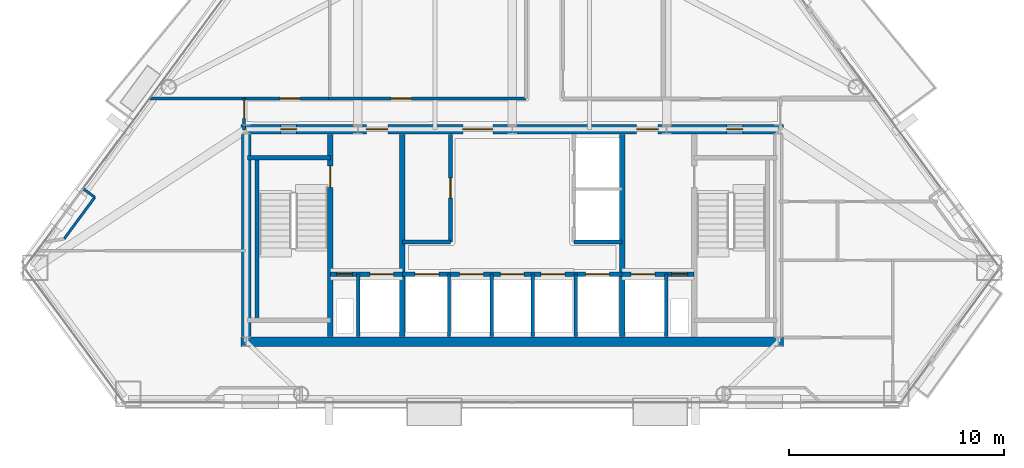
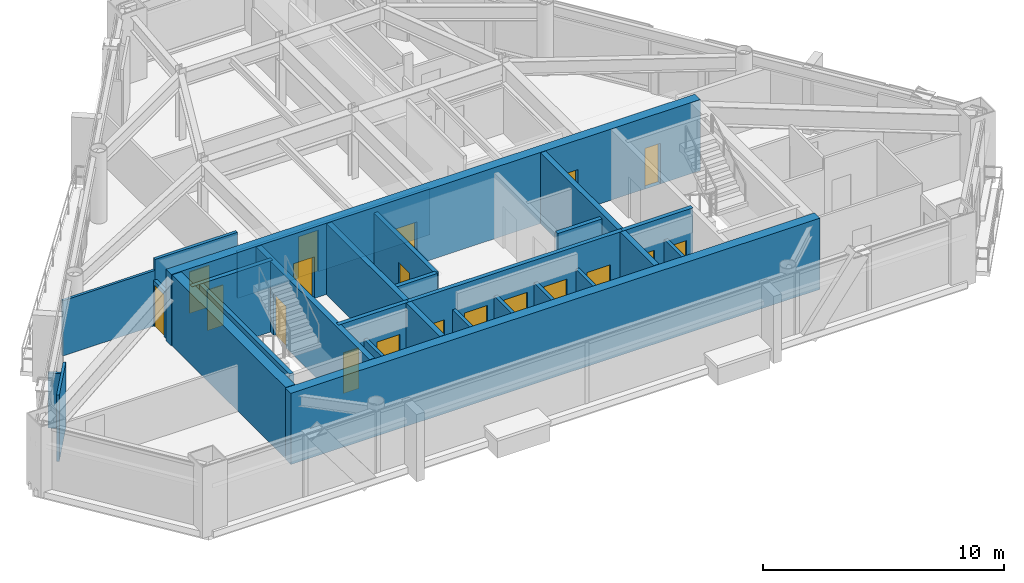
# One storey, part 7 of 11: 26 walls, 19 doors, 19 openings.
"""IFC4 building model written with IfcOpenShell, lengths in metres."""

from ifc_helpers import new_model, si_unit, direction, frame, frame_2d, origin, place, context, subcontext, project, spatial, rectangle, extrude, material, layer, layer_set, type_object, element, fill, save


model = new_model("IFC4")

# Units and contexts
model_context = context("Model", 3, precision=1e-05, world=origin(), true_north=direction((0.0, 1.0)))
body_context = subcontext(model_context, "Body", "Model", "MODEL_VIEW")
ifc_project = project(units=[si_unit("LENGTHUNIT", "METRE"), si_unit("AREAUNIT", "SQUARE_METRE"), si_unit("VOLUMEUNIT", "CUBIC_METRE"), si_unit("PLANEANGLEUNIT", "RADIAN"), si_unit("MASSUNIT", "GRAM", prefix="KILO")], contexts=[model_context])

# Site, building, storey
site_placement = place(None, origin())
site = spatial("IfcSite", under=ifc_project, at=site_placement, CompositionType="ELEMENT")
building_placement = place(site_placement, origin())
building = spatial("IfcBuilding", under=site, at=building_placement, Name="Talgorran Terracotta Tower", CompositionType="ELEMENT")
storey_placement = place(building_placement, frame((0.0, 0.0, 161.699951171875)))
storey = spatial("IfcBuildingStorey", under=building, at=storey_placement, Name="L42", CompositionType="ELEMENT", Elevation=161.699951171875)

# Walls
ifc_material_1 = material(Name="Concrete C50/60", Category="concrete")
ifc_layer_1 = layer(ifc_material_1, 0.199951171875, Name="WT_CORE_200")
ifc_layer_set_1 = layer_set([ifc_layer_1], Name="Concrete C50/60")
wall_type_1 = type_object("IfcWallType", Name="WT_CORE_200", PredefinedType="SOLIDWALL", material=ifc_layer_set_1)
wall_1_placement = place(storey_placement, frame((-12.35009765625, -5.52001953125, 0.0), z_axis=(0.0, 0.0, 1.0), x_axis=(1.0, 0.0, 0.0)))
element("IfcWall", 1, at=wall_1_placement, inside=storey, type_object=wall_type_1, Name="WL-L42-CW-ST1-N", PredefinedType="SOLIDWALL", context=body_context, shape_type="SweptSolid", body=[
    extrude(rectangle(XDim=3.8701171875, YDim=0.199951171875, at=frame_2d((1.93505859375, 0.0))), origin(), (0.0, 0.0, 1.0), 3.60009765625),
])
wall_2_placement = place(storey_placement, frame((-11.89990234375, -13.10009765625, 0.0), z_axis=(0.0, 0.0, 1.0), x_axis=(0.0, 1.0, 0.0)))
element("IfcWall", 2, at=wall_2_placement, inside=storey, type_object=wall_type_1, Name="WL-L42-CW-ST1-W", PredefinedType="SOLIDWALL", context=body_context, shape_type="SweptSolid", body=[
    extrude(rectangle(XDim=7.580078125, YDim=0.199951171875, at=frame_2d((3.7900390625, 0.0))), origin(), (0.0, 0.0, 1.0), 3.60009765625),
])

# Wall, openings, doors
wall_3_placement = place(storey_placement, frame((-8.47998046875, -10.949951171875, 0.0), z_axis=(0.0, 0.0, 1.0), x_axis=(1.0, 0.0, 0.0)))
wall_3 = element("IfcWall", 3, at=wall_3_placement, inside=storey, type_object=wall_type_1, Name="WL-L42-CW-H-SBW", PredefinedType="SOLIDWALL", context=body_context, shape_type="SweptSolid", body=[
    extrude(rectangle(XDim=3.35986328125, YDim=0.199951171875, at=frame_2d((1.679931640625, 0.0))), origin(), (0.0, 0.0, 1.0), 3.60009765625),
])
opening_1_placement = place(wall_3_placement, frame((0.280029296875, 0.0, 0.0)))
opening_1 = element("IfcOpeningElement", 4, at=opening_1_placement, cuts=wall_3, Name="Opening DR-RSW", PredefinedType="OPENING", context=body_context, shape_type="SweptSolid", body=[
    extrude(rectangle(XDim=0.756, YDim=2.054048828125, at=frame_2d((0.375, 1.027099609375))), frame((0.0, 0.10986328125, 0.0), z_axis=(0.0, -1.0, 0.0), x_axis=(1.0, 0.0, 0.0)), (0.0, 0.0, 1.0), 0.219970703125),
])
opening_2_placement = place(wall_3_placement, frame((1.85009765625, 0.0, 0.0)))
opening_2 = element("IfcOpeningElement", 5, at=opening_2_placement, cuts=wall_3, Name="Opening LD-FFL1", PredefinedType="OPENING", context=body_context, shape_type="SweptSolid", body=[
    extrude(rectangle(XDim=1.10609765625, YDim=2.10409765625, at=frame_2d((0.550048828125, 1.052001953125))), frame((0.0, 0.10986328125, 0.0), z_axis=(0.0, -1.0, 0.0), x_axis=(1.0, 0.0, 0.0)), (0.0, 0.0, 1.0), 0.219970703125),
])
ifc_material_2 = material(Name="Brushed Stainless Steel Grade 304", Category="steel")
door_type_1 = type_object("IfcDoorType", Name="DT_LIFT_LD1100", OperationType="DOUBLE_DOOR_SLIDING", PredefinedType="DOOR", material=ifc_material_2)
door_1_placement = place(opening_2_placement, origin())
door_1 = element("IfcDoor", 6, at=door_1_placement, inside=storey, type_object=door_type_1, Name="L42 Lift Landing Door LD-FFL1", OperationType="DOUBLE_DOOR_SLIDING", OverallHeight=2.10009765625, OverallWidth=1.10009765625, PredefinedType="DOOR", context=body_context, shape_type="SweptSolid", body=[
    extrude(rectangle(XDim=1.10009765625, YDim=2.10009765625, at=frame_2d((0.550048828125, 1.050048828125))), frame((0.0, 0.02490234375, 0.0), z_axis=(0.0, -1.0, 0.0), x_axis=(1.0, 0.0, 0.0)), (0.0, 0.0, 1.0), 0.050048828125),
])
fill(opening_2, door_1)
ifc_material_3 = material(Name="Fire-Rated Pressed Steel", Category="steel")
door_type_2 = type_object("IfcDoorType", Name="DT_RISER_750", OperationType="NOTDEFINED", PredefinedType="DOOR", material=ifc_material_3)
door_2_placement = place(opening_1_placement, origin())
door_2 = element("IfcDoor", 7, at=door_2_placement, inside=storey, type_object=door_type_2, Name="DR-RSW", OperationType="SINGLE_SWING_LEFT", OverallHeight=2.050048828125, OverallWidth=0.75, PredefinedType="DOOR", context=body_context, shape_type="SweptSolid", body=[
    extrude(rectangle(XDim=0.75, YDim=2.050048828125, at=frame_2d((0.375, 1.02490234375))), frame((0.0, 0.02490234375, 0.0), z_axis=(0.0, -1.0, 0.0), x_axis=(1.0, 0.0, 0.0)), (0.0, 0.0, 1.0), 0.050048828125),
])
fill(opening_1, door_2)

wall_4_placement = place(storey_placement, frame((-5.1201171875, -10.949951171875, 0.0), z_axis=(0.0, 0.0, 1.0), x_axis=(1.0, 0.0, 0.0)))
wall_4 = element("IfcWall", 8, at=wall_4_placement, inside=storey, type_object=wall_type_1, Name="WL-L42-CW-H-SBC", PredefinedType="SOLIDWALL", context=body_context, shape_type="SweptSolid", body=[
    extrude(rectangle(XDim=10.240234375, YDim=0.199951171875, at=frame_2d((5.1201171875, 0.0))), origin(), (0.0, 0.0, 1.0), 3.60009765625),
])
opening_3_placement = place(wall_4_placement, frame((0.60009765625, 0.0, 0.0)))
opening_3 = element("IfcOpeningElement", 9, at=opening_3_placement, cuts=wall_4, Name="Opening LD-OB1", PredefinedType="OPENING", context=body_context, shape_type="SweptSolid", body=[
    extrude(rectangle(XDim=1.10609765625, YDim=2.10409765625, at=frame_2d((0.550048828125, 1.052001953125))), frame((0.0, 0.10986328125, 0.0), z_axis=(0.0, -1.0, 0.0), x_axis=(1.0, 0.0, 0.0)), (0.0, 0.0, 1.0), 0.219970703125),
])
opening_4_placement = place(wall_4_placement, frame((2.669921875, 0.0, 0.0)))
opening_4 = element("IfcOpeningElement", 10, at=opening_4_placement, cuts=wall_4, Name="Opening LD-PLH1", PredefinedType="OPENING", context=body_context, shape_type="SweptSolid", body=[
    extrude(rectangle(XDim=1.10609765625, YDim=2.10409765625, at=frame_2d((0.550048828125, 1.052001953125))), frame((0.0, 0.10986328125, 0.0), z_axis=(0.0, -1.0, 0.0), x_axis=(1.0, 0.0, 0.0)), (0.0, 0.0, 1.0), 0.219970703125),
])
opening_5_placement = place(wall_4_placement, frame((4.570068359375, 0.0, 0.0)))
opening_5 = element("IfcOpeningElement", 11, at=opening_5_placement, cuts=wall_4, Name="Opening LD-PLH2", PredefinedType="OPENING", context=body_context, shape_type="SweptSolid", body=[
    extrude(rectangle(XDim=1.10609765625, YDim=2.10409765625, at=frame_2d((0.550048828125, 1.052001953125))), frame((0.0, 0.10986328125, 0.0), z_axis=(0.0, -1.0, 0.0), x_axis=(1.0, 0.0, 0.0)), (0.0, 0.0, 1.0), 0.219970703125),
])
opening_6_placement = place(wall_4_placement, frame((6.469970703125, 0.0, 0.0)))
opening_6 = element("IfcOpeningElement", 12, at=opening_6_placement, cuts=wall_4, Name="Opening LD-PLH3", PredefinedType="OPENING", context=body_context, shape_type="SweptSolid", body=[
    extrude(rectangle(XDim=1.10609765625, YDim=2.10409765625, at=frame_2d((0.550048828125, 1.052001953125))), frame((0.0, 0.10986328125, 0.0), z_axis=(0.0, -1.0, 0.0), x_axis=(1.0, 0.0, 0.0)), (0.0, 0.0, 1.0), 0.219970703125),
])
opening_7_placement = place(wall_4_placement, frame((8.5400390625, 0.0, 0.0)))
opening_7 = element("IfcOpeningElement", 13, at=opening_7_placement, cuts=wall_4, Name="Opening LD-SVL1", PredefinedType="OPENING", context=body_context, shape_type="SweptSolid", body=[
    extrude(rectangle(XDim=1.10609765625, YDim=2.10409765625, at=frame_2d((0.550048828125, 1.052001953125))), frame((0.0, 0.10986328125, 0.0), z_axis=(0.0, -1.0, 0.0), x_axis=(1.0, 0.0, 0.0)), (0.0, 0.0, 1.0), 0.219970703125),
])
door_3_placement = place(opening_3_placement, origin())
door_3 = element("IfcDoor", 14, at=door_3_placement, inside=storey, type_object=door_type_1, Name="L42 Lift Landing Door LD-OB1", OperationType="DOUBLE_DOOR_SLIDING", OverallHeight=2.10009765625, OverallWidth=1.10009765625, PredefinedType="DOOR", context=body_context, shape_type="SweptSolid", body=[
    extrude(rectangle(XDim=1.10009765625, YDim=2.10009765625, at=frame_2d((0.550048828125, 1.050048828125))), frame((0.0, 0.02490234375, 0.0), z_axis=(0.0, -1.0, 0.0), x_axis=(1.0, 0.0, 0.0)), (0.0, 0.0, 1.0), 0.050048828125),
])
fill(opening_3, door_3)
door_4_placement = place(opening_4_placement, origin())
door_4 = element("IfcDoor", 15, at=door_4_placement, inside=storey, type_object=door_type_1, Name="L42 Lift Landing Door LD-PLH1", OperationType="DOUBLE_DOOR_SLIDING", OverallHeight=2.10009765625, OverallWidth=1.10009765625, PredefinedType="DOOR", context=body_context, shape_type="SweptSolid", body=[
    extrude(rectangle(XDim=1.10009765625, YDim=2.10009765625, at=frame_2d((0.550048828125, 1.050048828125))), frame((0.0, 0.02490234375, 0.0), z_axis=(0.0, -1.0, 0.0), x_axis=(1.0, 0.0, 0.0)), (0.0, 0.0, 1.0), 0.050048828125),
])
fill(opening_4, door_4)
door_5_placement = place(opening_5_placement, origin())
door_5 = element("IfcDoor", 16, at=door_5_placement, inside=storey, type_object=door_type_1, Name="L42 Lift Landing Door LD-PLH2", OperationType="DOUBLE_DOOR_SLIDING", OverallHeight=2.10009765625, OverallWidth=1.10009765625, PredefinedType="DOOR", context=body_context, shape_type="SweptSolid", body=[
    extrude(rectangle(XDim=1.10009765625, YDim=2.10009765625, at=frame_2d((0.550048828125, 1.050048828125))), frame((0.0, 0.02490234375, 0.0), z_axis=(0.0, -1.0, 0.0), x_axis=(1.0, 0.0, 0.0)), (0.0, 0.0, 1.0), 0.050048828125),
])
fill(opening_5, door_5)
door_6_placement = place(opening_6_placement, origin())
door_6 = element("IfcDoor", 17, at=door_6_placement, inside=storey, type_object=door_type_1, Name="L42 Lift Landing Door LD-PLH3", OperationType="DOUBLE_DOOR_SLIDING", OverallHeight=2.10009765625, OverallWidth=1.10009765625, PredefinedType="DOOR", context=body_context, shape_type="SweptSolid", body=[
    extrude(rectangle(XDim=1.10009765625, YDim=2.10009765625, at=frame_2d((0.550048828125, 1.050048828125))), frame((0.0, 0.02490234375, 0.0), z_axis=(0.0, -1.0, 0.0), x_axis=(1.0, 0.0, 0.0)), (0.0, 0.0, 1.0), 0.050048828125),
])
fill(opening_6, door_6)
door_7_placement = place(opening_7_placement, origin())
door_7 = element("IfcDoor", 18, at=door_7_placement, inside=storey, type_object=door_type_1, Name="L42 Lift Landing Door LD-SVL1", OperationType="DOUBLE_DOOR_SLIDING", OverallHeight=2.10009765625, OverallWidth=1.10009765625, PredefinedType="DOOR", context=body_context, shape_type="SweptSolid", body=[
    extrude(rectangle(XDim=1.10009765625, YDim=2.10009765625, at=frame_2d((0.550048828125, 1.050048828125))), frame((0.0, 0.02490234375, 0.0), z_axis=(0.0, -1.0, 0.0), x_axis=(1.0, 0.0, 0.0)), (0.0, 0.0, 1.0), 0.050048828125),
])
fill(opening_7, door_7)

wall_5_placement = place(storey_placement, frame((5.1201171875, -10.949951171875, 0.0), z_axis=(0.0, 0.0, 1.0), x_axis=(1.0, 0.0, 0.0)))
wall_5 = element("IfcWall", 19, at=wall_5_placement, inside=storey, type_object=wall_type_1, Name="WL-L42-CW-H-SBE", PredefinedType="SOLIDWALL", context=body_context, shape_type="SweptSolid", body=[
    extrude(rectangle(XDim=3.35986328125, YDim=0.199951171875, at=frame_2d((1.679931640625, 0.0))), origin(), (0.0, 0.0, 1.0), 3.60009765625),
])
opening_8_placement = place(wall_5_placement, frame((0.419921875, 0.0, 0.0)))
opening_8 = element("IfcOpeningElement", 20, at=opening_8_placement, cuts=wall_5, Name="Opening LD-FFL2", PredefinedType="OPENING", context=body_context, shape_type="SweptSolid", body=[
    extrude(rectangle(XDim=1.10609765625, YDim=2.10409765625, at=frame_2d((0.550048828125, 1.052001953125))), frame((0.0, 0.10986328125, 0.0), z_axis=(0.0, -1.0, 0.0), x_axis=(1.0, 0.0, 0.0)), (0.0, 0.0, 1.0), 0.219970703125),
])
opening_9_placement = place(wall_5_placement, frame((2.300048828125, 0.0, 0.0)))
opening_9 = element("IfcOpeningElement", 21, at=opening_9_placement, cuts=wall_5, Name="Opening DR-RSE", PredefinedType="OPENING", context=body_context, shape_type="SweptSolid", body=[
    extrude(rectangle(XDim=0.756, YDim=2.054048828125, at=frame_2d((0.375, 1.027099609375))), frame((0.0, 0.10986328125, 0.0), z_axis=(0.0, -1.0, 0.0), x_axis=(1.0, 0.0, 0.0)), (0.0, 0.0, 1.0), 0.219970703125),
])
door_8_placement = place(opening_8_placement, origin())
door_8 = element("IfcDoor", 22, at=door_8_placement, inside=storey, type_object=door_type_1, Name="L42 Lift Landing Door LD-FFL2", OperationType="DOUBLE_DOOR_SLIDING", OverallHeight=2.10009765625, OverallWidth=1.10009765625, PredefinedType="DOOR", context=body_context, shape_type="SweptSolid", body=[
    extrude(rectangle(XDim=1.10009765625, YDim=2.10009765625, at=frame_2d((0.550048828125, 1.050048828125))), frame((0.0, 0.02490234375, 0.0), z_axis=(0.0, -1.0, 0.0), x_axis=(1.0, 0.0, 0.0)), (0.0, 0.0, 1.0), 0.050048828125),
])
fill(opening_8, door_8)
door_9_placement = place(opening_9_placement, origin())
door_9 = element("IfcDoor", 23, at=door_9_placement, inside=storey, type_object=door_type_2, Name="DR-RSE", OperationType="SINGLE_SWING_RIGHT", OverallHeight=2.050048828125, OverallWidth=0.75, PredefinedType="DOOR", context=body_context, shape_type="SweptSolid", body=[
    extrude(rectangle(XDim=0.75, YDim=2.050048828125, at=frame_2d((0.375, 1.02490234375))), frame((0.0, 0.02490234375, 0.0), z_axis=(0.0, -1.0, 0.0), x_axis=(1.0, 0.0, 0.0)), (0.0, 0.0, 1.0), 0.050048828125),
])
fill(opening_9, door_9)

# Wall, opening, door
wall_6_placement = place(storey_placement, frame((-2.8798828125, -9.449951171875, 0.0), z_axis=(0.0, 0.0, 1.0), x_axis=(0.0, 1.0, 0.0)))
wall_6 = element("IfcWall", 24, at=wall_6_placement, inside=storey, type_object=wall_type_1, Name="WL-L42-CW-V-W3", PredefinedType="SOLIDWALL", context=body_context, shape_type="SweptSolid", body=[
    extrude(rectangle(XDim=5.0, YDim=0.199951171875, at=frame_2d((2.5, 0.0))), origin(), (0.0, 0.0, 1.0), 3.35009765625),
])
opening_10_placement = place(wall_6_placement, frame((2.050048828125, 0.0, 0.0)))
opening_10 = element("IfcOpeningElement", 25, at=opening_10_placement, cuts=wall_6, Name="Opening DR-FRPLL-A", PredefinedType="OPENING", context=body_context, shape_type="SweptSolid", body=[
    extrude(rectangle(XDim=0.925921875, YDim=2.10409765625, at=frame_2d((0.4599609375, 1.052001953125))), frame((0.0, 0.10986328125, 0.0), z_axis=(0.0, -1.0, 0.0), x_axis=(1.0, 0.0, 0.0)), (0.0, 0.0, 1.0), 0.219970703125),
])
ifc_material_4 = material(Name="Solid-Core Painted Timber", Category="wood")
door_type_3 = type_object("IfcDoorType", Name="DT_INT_920", OperationType="NOTDEFINED", PredefinedType="DOOR", material=ifc_material_4)
door_10_placement = place(opening_10_placement, origin())
door_10 = element("IfcDoor", 26, at=door_10_placement, inside=storey, type_object=door_type_3, Name="DR-FRPLL-A", OperationType="SINGLE_SWING_LEFT", OverallHeight=2.10009765625, OverallWidth=0.919921875, PredefinedType="DOOR", context=body_context, shape_type="SweptSolid", body=[
    extrude(rectangle(XDim=0.919921875, YDim=2.10009765625, at=frame_2d((0.4599609375, 1.050048828125))), frame((0.0, 0.02490234375, 0.0), z_axis=(0.0, -1.0, 0.0), x_axis=(1.0, 0.0, 0.0)), (0.0, 0.0, 1.0), 0.050048828125),
])
fill(opening_10, door_10)

# Walls
for number, where, z_axis, x_axis, name in (
    (27, (-5.1201171875, -9.449951171875, 0.0), (0.0, 0.0, 1.0), (1.0, 0.0, 0.0), "WL-L42-CW-H-W4"),
    (28, (2.8798828125, -9.449951171875, 0.0), (0.0, 0.0, 1.0), (1.0, 0.0, 0.0), "WL-L42-CW-H-E4"),
):
    element("IfcWall", number, at=place(storey_placement, frame(where, z_axis=z_axis, x_axis=x_axis)), inside=storey, type_object=wall_type_1, Name=name, PredefinedType="SOLIDWALL", context=body_context, shape_type="SweptSolid", body=[
        extrude(rectangle(XDim=2.240234375, YDim=0.199951171875, at=frame_2d((1.1201171875, 0.0))), origin(), (0.0, 0.0, 1.0), 3.35009765625),
    ])

# Wall, opening, door
ifc_layer_2 = layer(ifc_material_1, 0.25, Name="WT_CORE_250")
ifc_layer_set_2 = layer_set([ifc_layer_2], Name="Concrete C50/60")
wall_type_2 = type_object("IfcWallType", Name="WT_CORE_250", PredefinedType="SHEAR", material=ifc_layer_set_2)
wall_7_placement = place(storey_placement, frame((-8.47998046875, -13.85009765625, 0.0), z_axis=(0.0, 0.0, 1.0), x_axis=(0.0, 1.0, 0.0)))
wall_7 = element("IfcWall", 29, at=wall_7_placement, inside=storey, type_object=wall_type_2, Name="WL-L42-CW-V-W1", PredefinedType="SHEAR", context=body_context, shape_type="SweptSolid", body=[
    extrude(rectangle(XDim=9.400146484375, YDim=0.25, at=frame_2d((4.7001953125, 0.0))), origin(), (0.0, 0.0, 1.0), 3.60009765625),
])
opening_11_placement = place(wall_7_placement, frame((6.949951171875, 0.0, 0.0)))
opening_11 = element("IfcOpeningElement", 30, at=opening_11_placement, cuts=wall_7, Name="Opening DR-ST01", PredefinedType="OPENING", context=body_context, shape_type="SweptSolid", body=[
    extrude(rectangle(XDim=1.006, YDim=2.10409765625, at=frame_2d((0.5, 1.052001953125))), frame((0.0, 0.135009765625, 0.0), z_axis=(0.0, -1.0, 0.0), x_axis=(1.0, 0.0, 0.0)), (0.0, 0.0, 1.0), 0.27001953125),
])
door_type_4 = type_object("IfcDoorType", Name="DT_FIRE_1000", OperationType="NOTDEFINED", PredefinedType="DOOR", material=ifc_material_3)
door_11_placement = place(opening_11_placement, origin())
door_11 = element("IfcDoor", 31, at=door_11_placement, inside=storey, type_object=door_type_4, Name="DR-ST01", OperationType="SINGLE_SWING_LEFT", OverallHeight=2.10009765625, OverallWidth=1.0, PredefinedType="DOOR", context=body_context, shape_type="SweptSolid", body=[
    extrude(rectangle(XDim=1.0, YDim=2.10009765625, at=frame_2d((0.5, 1.050048828125))), frame((0.0, 0.02490234375, 0.0), z_axis=(0.0, -1.0, 0.0), x_axis=(1.0, 0.0, 0.0)), (0.0, 0.0, 1.0), 0.050048828125),
])
fill(opening_11, door_11)

# Walls
for number, where, z_axis, x_axis, name in (
    (32, (-5.1201171875, -13.85009765625, 0.0), (0.0, 0.0, 1.0), (0.0, 1.0, 0.0), "WL-L42-CW-V-W2"),
    (33, (5.1201171875, -13.85009765625, 0.0), (0.0, 0.0, 1.0), (0.0, 1.0, 0.0), "WL-L42-CW-V-E2"),
):
    element("IfcWall", number, at=place(storey_placement, frame(where, z_axis=z_axis, x_axis=x_axis)), inside=storey, type_object=wall_type_2, Name=name, PredefinedType="SHEAR", context=body_context, shape_type="SweptSolid", body=[
        extrude(rectangle(XDim=9.400146484375, YDim=0.25, at=frame_2d((4.7001953125, 0.0))), origin(), (0.0, 0.0, 1.0), 3.60009765625),
    ])
ifc_material_5 = material(Name="Concrete C65/80", Category="concrete")
ifc_layer_3 = layer(ifc_material_5, 0.449951171875, Name="WT_CORE_EXT")
ifc_layer_set_3 = layer_set([ifc_layer_3], Name="Concrete C65/80")
wall_type_3 = type_object("IfcWallType", Name="WT_CORE_EXT", PredefinedType="SHEAR", material=ifc_layer_set_3)
wall_8_placement = place(storey_placement, frame((-12.64990234375, -14.10009765625, 0.0), z_axis=(0.0, 0.0, 1.0), x_axis=(1.0, 0.0, 0.0)))
element("IfcWall", 34, at=wall_8_placement, inside=storey, type_object=wall_type_3, Name="WL-L42-CW-OUT-S", PredefinedType="SHEAR", context=body_context, shape_type="SweptSolid", body=[
    extrude(rectangle(XDim=25.2998046875, YDim=0.449951171875, at=frame_2d((12.64990234375, 0.0))), origin(), (0.0, 0.0, 1.0), 3.60009765625),
])

# Wall, openings, doors
wall_9_placement = place(storey_placement, frame((-12.64990234375, -4.199951171875, 0.0), z_axis=(0.0, 0.0, 1.0), x_axis=(1.0, 0.0, 0.0)))
wall_9 = element("IfcWall", 35, at=wall_9_placement, inside=storey, type_object=wall_type_3, Name="WL-L42-CW-OUT-N", PredefinedType="SHEAR", context=body_context, shape_type="SweptSolid", body=[
    extrude(rectangle(XDim=25.2998046875, YDim=0.449951171875, at=frame_2d((12.64990234375, 0.0))), origin(), (0.0, 0.0, 1.0), 3.60009765625),
])
opening_12_placement = place(wall_9_placement, frame((1.85009765625, 0.0, 0.0)))
opening_12 = element("IfcOpeningElement", 36, at=opening_12_placement, cuts=wall_9, Name="Opening DR-CSN1", PredefinedType="OPENING", context=body_context, shape_type="SweptSolid", body=[
    extrude(rectangle(XDim=0.756, YDim=2.054048828125, at=frame_2d((0.375, 1.027099609375))), frame((0.0, 0.23486328125, 0.0), z_axis=(0.0, -1.0, 0.0), x_axis=(1.0, 0.0, 0.0)), (0.0, 0.0, 1.0), 0.469970703125),
])
opening_13_placement = place(wall_9_placement, frame((22.64990234375, 0.0, 0.0)))
opening_13 = element("IfcOpeningElement", 37, at=opening_13_placement, cuts=wall_9, Name="Opening DR-CSN2", PredefinedType="OPENING", context=body_context, shape_type="SweptSolid", body=[
    extrude(rectangle(XDim=0.756, YDim=2.054048828125, at=frame_2d((0.375, 1.027099609375))), frame((0.0, 0.23486328125, 0.0), z_axis=(0.0, -1.0, 0.0), x_axis=(1.0, 0.0, 0.0)), (0.0, 0.0, 1.0), 0.469970703125),
])
opening_14_placement = place(wall_9_placement, frame((5.85009765625, 0.0, 0.0)))
opening_14 = element("IfcOpeningElement", 38, at=opening_14_placement, cuts=wall_9, Name="Opening DR-FFLW-N", PredefinedType="OPENING", context=body_context, shape_type="SweptSolid", body=[
    extrude(rectangle(XDim=1.006, YDim=2.10409765625, at=frame_2d((0.5, 1.052001953125))), frame((0.0, 0.23486328125, 0.0), z_axis=(0.0, -1.0, 0.0), x_axis=(1.0, 0.0, 0.0)), (0.0, 0.0, 1.0), 0.469970703125),
])
opening_15_placement = place(wall_9_placement, frame((10.35009765625, 0.0, 0.0)))
opening_15 = element("IfcOpeningElement", 39, at=opening_15_placement, cuts=wall_9, Name="Opening DR-PLL-N", PredefinedType="OPENING", context=body_context, shape_type="SweptSolid", body=[
    extrude(rectangle(XDim=1.40590234375, YDim=2.15390234375, at=frame_2d((0.699951171875, 1.076904296875))), frame((0.0, 0.23486328125, 0.0), z_axis=(0.0, -1.0, 0.0), x_axis=(1.0, 0.0, 0.0)), (0.0, 0.0, 1.0), 0.469970703125),
])
opening_16_placement = place(wall_9_placement, frame((18.449951171875, 0.0, 0.0)))
opening_16 = element("IfcOpeningElement", 40, at=opening_16_placement, cuts=wall_9, Name="Opening DR-FFLE-N", PredefinedType="OPENING", context=body_context, shape_type="SweptSolid", body=[
    extrude(rectangle(XDim=1.006, YDim=2.10409765625, at=frame_2d((0.5, 1.052001953125))), frame((0.0, 0.23486328125, 0.0), z_axis=(0.0, -1.0, 0.0), x_axis=(1.0, 0.0, 0.0)), (0.0, 0.0, 1.0), 0.469970703125),
])
ifc_material_6 = material(Name="Acoustic Glazed Timber", Category="wood")
door_type_5 = type_object("IfcDoorType", Name="DT_DOUBLE_1400", OperationType="DOUBLE_DOOR_SINGLE_SWING", PredefinedType="DOOR", material=ifc_material_6)
door_12_placement = place(opening_15_placement, origin())
door_12 = element("IfcDoor", 41, at=door_12_placement, inside=storey, type_object=door_type_5, Name="DR-PLL-N", OperationType="DOUBLE_DOOR_SINGLE_SWING", OverallHeight=2.14990234375, OverallWidth=1.39990234375, PredefinedType="DOOR", context=body_context, shape_type="SweptSolid", body=[
    extrude(rectangle(XDim=1.39990234375, YDim=2.14990234375, at=frame_2d((0.699951171875, 1.074951171875))), frame((0.0, 0.02490234375, 0.0), z_axis=(0.0, -1.0, 0.0), x_axis=(1.0, 0.0, 0.0)), (0.0, 0.0, 1.0), 0.050048828125),
])
fill(opening_15, door_12)
door_13_placement = place(opening_14_placement, origin())
door_13 = element("IfcDoor", 42, at=door_13_placement, inside=storey, type_object=door_type_4, Name="DR-FFLW-N", OperationType="SINGLE_SWING_LEFT", OverallHeight=2.10009765625, OverallWidth=1.0, PredefinedType="DOOR", context=body_context, shape_type="SweptSolid", body=[
    extrude(rectangle(XDim=1.0, YDim=2.10009765625, at=frame_2d((0.5, 1.050048828125))), frame((0.0, 0.02490234375, 0.0), z_axis=(0.0, -1.0, 0.0), x_axis=(1.0, 0.0, 0.0)), (0.0, 0.0, 1.0), 0.050048828125),
])
fill(opening_14, door_13)
door_14_placement = place(opening_16_placement, origin())
door_14 = element("IfcDoor", 43, at=door_14_placement, inside=storey, type_object=door_type_4, Name="DR-FFLE-N", OperationType="SINGLE_SWING_RIGHT", OverallHeight=2.10009765625, OverallWidth=1.0, PredefinedType="DOOR", context=body_context, shape_type="SweptSolid", body=[
    extrude(rectangle(XDim=1.0, YDim=2.10009765625, at=frame_2d((0.5, 1.050048828125))), frame((0.0, 0.02490234375, 0.0), z_axis=(0.0, -1.0, 0.0), x_axis=(1.0, 0.0, 0.0)), (0.0, 0.0, 1.0), 0.050048828125),
])
fill(opening_16, door_14)
door_15_placement = place(opening_12_placement, origin())
door_15 = element("IfcDoor", 44, at=door_15_placement, inside=storey, type_object=door_type_2, Name="DR-CSN1", OperationType="SINGLE_SWING_LEFT", OverallHeight=2.050048828125, OverallWidth=0.75, PredefinedType="DOOR", context=body_context, shape_type="SweptSolid", body=[
    extrude(rectangle(XDim=0.75, YDim=2.050048828125, at=frame_2d((0.375, 1.02490234375))), frame((0.0, 0.02490234375, 0.0), z_axis=(0.0, -1.0, 0.0), x_axis=(1.0, 0.0, 0.0)), (0.0, 0.0, 1.0), 0.050048828125),
])
fill(opening_12, door_15)
door_16_placement = place(opening_13_placement, origin())
door_16 = element("IfcDoor", 45, at=door_16_placement, inside=storey, type_object=door_type_2, Name="DR-CSN2", OperationType="SINGLE_SWING_RIGHT", OverallHeight=2.050048828125, OverallWidth=0.75, PredefinedType="DOOR", context=body_context, shape_type="SweptSolid", body=[
    extrude(rectangle(XDim=0.75, YDim=2.050048828125, at=frame_2d((0.375, 1.02490234375))), frame((0.0, 0.02490234375, 0.0), z_axis=(0.0, -1.0, 0.0), x_axis=(1.0, 0.0, 0.0)), (0.0, 0.0, 1.0), 0.050048828125),
])
fill(opening_13, door_16)

# Wall
wall_10_placement = place(storey_placement, frame((-12.39990234375, -13.85009765625, 0.0), z_axis=(0.0, 0.0, 1.0), x_axis=(0.0, 1.0, 0.0)))
element("IfcWall", 46, at=wall_10_placement, inside=storey, type_object=wall_type_3, Name="WL-L42-CW-OUT-W", PredefinedType="SHEAR", context=body_context, shape_type="SweptSolid", body=[
    extrude(rectangle(XDim=9.400146484375, YDim=0.449951171875, at=frame_2d((4.7001953125, 0.0))), origin(), (0.0, 0.0, 1.0), 3.60009765625),
])

# Wall, opening, door
ifc_material_7 = material(Name="Fire-Rated Steel Stud Plasterboard", Category="steel")
ifc_layer_4 = layer(ifc_material_7, 0.14990234375, Name="WT_FIRE_150")
ifc_layer_set_4 = layer_set([ifc_layer_4], Name="Fire-Rated Steel Stud Plasterboard")
wall_type_4 = type_object("IfcWallType", Name="WT_FIRE_150", PredefinedType="PARTITIONING", material=ifc_layer_set_4)
wall_11_placement = place(storey_placement, frame((-8.56005859375, -2.760009765625, 0.0), z_axis=(0.0, 0.0, 1.0), x_axis=(1.0, 0.0, 0.0)))
wall_11 = element("IfcWall", 47, at=wall_11_placement, inside=storey, type_object=wall_type_4, Name="WL-L42-W-L42-R03", PredefinedType="PARTITIONING", context=body_context, shape_type="SweptSolid", body=[
    extrude(rectangle(XDim=9.199951171875, YDim=0.14990234375, at=frame_2d((4.60009765625, 0.0))), origin(), (0.0, 0.0, 1.0), 2.324951171875),
])
opening_17_placement = place(wall_11_placement, frame((2.90966796875, 0.0, 0.0)))
opening_17 = element("IfcOpeningElement", 48, at=opening_17_placement, cuts=wall_11, Name="Opening DR-L42-R07", PredefinedType="OPENING", context=body_context, shape_type="SweptSolid", body=[
    extrude(rectangle(XDim=0.955951171875, YDim=2.10409765625, at=frame_2d((0.47509765625, 1.052001953125))), frame((0.0, 0.0849609375, 0.0), z_axis=(0.0, -1.0, 0.0), x_axis=(1.0, 0.0, 0.0)), (0.0, 0.0, 1.0), 0.169921875),
])
ifc_material_8 = material(Name="Fire-Rated Timber Core", Category="wood")
door_type_6 = type_object("IfcDoorType", Name="DT_FIRE_950", OperationType="NOTDEFINED", PredefinedType="DOOR", material=ifc_material_8)
door_17_placement = place(opening_17_placement, origin())
door_17 = element("IfcDoor", 49, at=door_17_placement, inside=storey, type_object=door_type_6, Name="DR-L42-R07", OperationType="SINGLE_SWING_LEFT", OverallHeight=2.10009765625, OverallWidth=0.949951171875, PredefinedType="DOOR", context=body_context, shape_type="SweptSolid", body=[
    extrude(rectangle(XDim=0.949951171875, YDim=2.10009765625, at=frame_2d((0.47509765625, 1.050048828125))), frame((0.0, 0.02490234375, 0.0), z_axis=(0.0, -1.0, 0.0), x_axis=(1.0, 0.0, 0.0)), (0.0, 0.0, 1.0), 0.050048828125),
])
fill(opening_17, door_17)

wall_12_placement = place(storey_placement, frame((-12.5, -2.760009765625, 0.0), z_axis=(0.0, 0.0, 1.0), x_axis=(1.0, 0.0, 0.0)))
wall_12 = element("IfcWall", 50, at=wall_12_placement, inside=storey, type_object=wall_type_4, Name="WL-L42-W-L42-R02", PredefinedType="PARTITIONING", context=body_context, shape_type="SweptSolid", body=[
    extrude(rectangle(XDim=3.93798828125, YDim=0.14990234375, at=frame_2d((1.968994140625, 0.0))), origin(), (0.0, 0.0, 1.0), 3.35009765625),
])
opening_18_placement = place(wall_12_placement, frame((1.674560546875, 0.0, 0.0)))
opening_18 = element("IfcOpeningElement", 51, at=opening_18_placement, cuts=wall_12, Name="Opening DR-L42-R06", PredefinedType="OPENING", context=body_context, shape_type="SweptSolid", body=[
    extrude(rectangle(XDim=0.955951171875, YDim=2.10409765625, at=frame_2d((0.47509765625, 1.052001953125))), frame((0.0, 0.0849609375, 0.0), z_axis=(0.0, -1.0, 0.0), x_axis=(1.0, 0.0, 0.0)), (0.0, 0.0, 1.0), 0.169921875),
])
door_18_placement = place(opening_18_placement, origin())
door_18 = element("IfcDoor", 52, at=door_18_placement, inside=storey, type_object=door_type_6, Name="DR-L42-R06", OperationType="SINGLE_SWING_RIGHT", OverallHeight=2.10009765625, OverallWidth=0.949951171875, PredefinedType="DOOR", context=body_context, shape_type="SweptSolid", body=[
    extrude(rectangle(XDim=0.949951171875, YDim=2.10009765625, at=frame_2d((0.47509765625, 1.050048828125))), frame((0.0, 0.02490234375, 0.0), z_axis=(0.0, -1.0, 0.0), x_axis=(1.0, 0.0, 0.0)), (0.0, 0.0, 1.0), 0.050048828125),
])
fill(opening_18, door_18)

wall_13_placement = place(storey_placement, frame((-12.5, -4.239990234375, 0.0), z_axis=(0.0, 0.0, 1.0), x_axis=(0.0, 1.0, 0.0)))
wall_13 = element("IfcWall", 53, at=wall_13_placement, inside=storey, type_object=wall_type_4, Name="WL-L42-W-L42-R13", PredefinedType="PARTITIONING", context=body_context, shape_type="SweptSolid", body=[
    extrude(rectangle(XDim=1.47998046875, YDim=0.14990234375, at=frame_2d((0.739990234375, 0.0))), origin(), (0.0, 0.0, 1.0), 2.324951171875),
])
opening_19_placement = place(wall_13_placement, frame((0.56005859375, 0.0, 0.0)))
opening_19 = element("IfcOpeningElement", 54, at=opening_19_placement, cuts=wall_13, Name="Opening DR-L42-R15", PredefinedType="OPENING", context=body_context, shape_type="SweptSolid", body=[
    extrude(rectangle(XDim=0.826068359375, YDim=2.10409765625, at=frame_2d((0.41015625, 1.052001953125))), frame((0.0, 0.0849609375, 0.0), z_axis=(0.0, -1.0, 0.0), x_axis=(1.0, 0.0, 0.0)), (0.0, 0.0, 1.0), 0.169921875),
])
ifc_material_9 = material(Name="Moisture-Resistant Solid Timber", Category="wood")
door_type_7 = type_object("IfcDoorType", Name="DT_INT_820", OperationType="NOTDEFINED", PredefinedType="DOOR", material=ifc_material_9)
door_19_placement = place(opening_19_placement, origin())
door_19 = element("IfcDoor", 55, at=door_19_placement, inside=storey, type_object=door_type_7, Name="DR-L42-R15", OperationType="SINGLE_SWING_LEFT", OverallHeight=2.10009765625, OverallWidth=0.820068359375, PredefinedType="DOOR", context=body_context, shape_type="SweptSolid", body=[
    extrude(rectangle(XDim=0.820068359375, YDim=2.10009765625, at=frame_2d((0.41015625, 1.050048828125))), frame((0.0, 0.02490234375, 0.0), z_axis=(0.0, -1.0, 0.0), x_axis=(1.0, 0.0, 0.0)), (0.0, 0.0, 1.0), 0.050048828125),
])
fill(opening_19, door_19)

# Walls
ifc_material_10 = material(Name="Insulated Steel Stud Plasterboard", Category="steel")
ifc_layer_5 = layer(ifc_material_10, 0.1201171875, Name="WT_PART_120")
ifc_layer_set_5 = layer_set([ifc_layer_5], Name="Insulated Steel Stud Plasterboard")
wall_type_5 = type_object("IfcWallType", Name="WT_PART_120", PredefinedType="PARTITIONING", material=ifc_layer_set_5)
wall_14_placement = place(storey_placement, frame((-16.9052734375, -2.760009765625, 0.0), z_axis=(0.0, 0.0, 1.0), x_axis=(1.0, 0.0, 0.0)))
element("IfcWall", 56, at=wall_14_placement, inside=storey, type_object=wall_type_5, Name="WL-L42-W-L42-R26", PredefinedType="PARTITIONING", context=body_context, shape_type="SweptSolid", body=[
    extrude(rectangle(XDim=4.46533203125, YDim=0.1201171875, at=frame_2d((2.232666015625, 0.0))), origin(), (0.0, 0.0, 1.0), 2.7919921875),
])
wall_15_placement = place(storey_placement, frame((-19.458984375, -7.36572265625, 0.0), z_axis=(0.0, 0.0, 1.0), x_axis=(-0.593808475203, -0.804606422282, 0.0)))
element("IfcWall", 57, at=wall_15_placement, inside=storey, type_object=wall_type_5, Name="WL-L42-BW-L42-08", PredefinedType="PARTITIONING", context=body_context, shape_type="SweptSolid", body=[
    extrude(rectangle(XDim=2.404296875, YDim=0.1201171875, at=frame_2d((1.2021484375, 0.0))), origin(), (0.0, 0.0, 1.0), 3.35009765625),
])
wall_16_placement = place(storey_placement, frame((-19.998046875, -6.968017578125, 0.0), z_axis=(0.0, 0.0, 1.0), x_axis=(0.804698441933, -0.59368376898, 0.0)))
element("IfcWall", 58, at=wall_16_placement, inside=storey, type_object=wall_type_5, Name="WL-L42-BW-L42-07", PredefinedType="PARTITIONING", context=body_context, shape_type="SweptSolid", body=[
    extrude(rectangle(XDim=0.669921875, YDim=0.1201171875, at=frame_2d((0.3349609375, 0.0))), origin(), (0.0, 0.0, 1.0), 2.7919921875),
])
ifc_material_11 = material(Name="Fire-Rated Shaftwall")
ifc_layer_6 = layer(ifc_material_11, 0.159912109375, Name="WT_PART_150")
ifc_layer_set_6 = layer_set([ifc_layer_6], Name="Fire-Rated Shaftwall")
wall_type_6 = type_object("IfcWallType", Name="WT_PART_150", PredefinedType="PARTITIONING", material=ifc_layer_set_6)
for number, where, z_axis, x_axis, name in (
    (59, (-7.179931640625, -13.85009765625, 0.0), (0.0, 0.0, 1.0), (0.0, 1.0, 0.0), "WL-L42-CW-RSW"),
    (60, (7.179931640625, -13.85009765625, 0.0), (0.0, 0.0, 1.0), (0.0, 1.0, 0.0), "WL-L42-CW-RSE"),
    (61, (-2.949951171875, -13.85009765625, 0.0), (0.0, 0.0, 1.0), (0.0, 1.0, 0.0), "WL-L42-CW-OB-E"),
    (62, (2.949951171875, -13.85009765625, 0.0), (0.0, 0.0, 1.0), (0.0, 1.0, 0.0), "WL-L42-CW-SV-W"),
    (63, (-0.949951171875, -13.85009765625, 0.0), (0.0, 0.0, 1.0), (0.0, 1.0, 0.0), "WL-L42-CW-PLH-D1"),
    (64, (0.949951171875, -13.85009765625, 0.0), (0.0, 0.0, 1.0), (0.0, 1.0, 0.0), "WL-L42-CW-PLH-D2"),
):
    element("IfcWall", number, at=place(storey_placement, frame(where, z_axis=z_axis, x_axis=x_axis)), inside=storey, type_object=wall_type_6, Name=name, PredefinedType="PARTITIONING", context=body_context, shape_type="SweptSolid", body=[
        extrude(rectangle(XDim=2.900146484375, YDim=0.159912109375, at=frame_2d((1.4501953125, 0.0))), origin(), (0.0, 0.0, 1.0), 2.47509765625),
    ])

save(model, "model.ifc")
